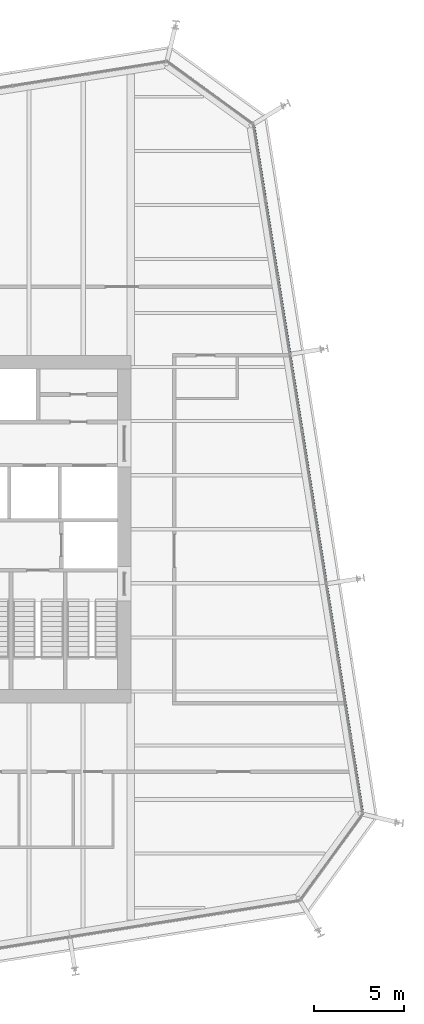
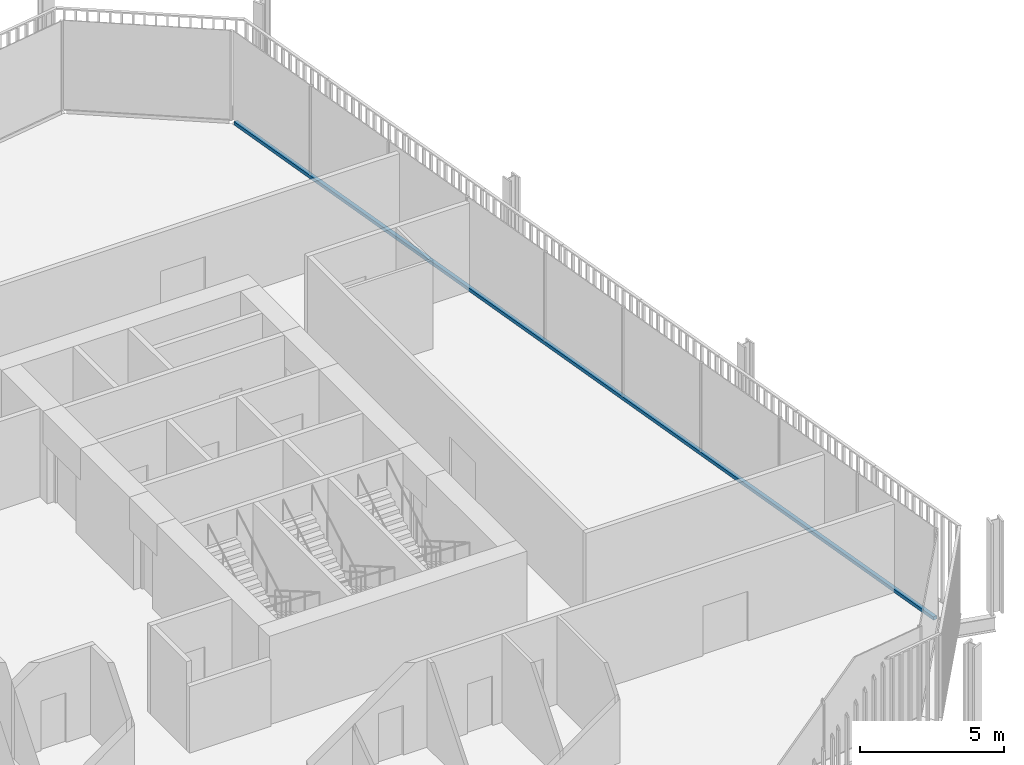
# One storey, part 14 of 21: 1 member, 1 element without a shape of its own.
"""IFC4 building model written with IfcOpenShell, lengths in metres."""

from ifc_helpers import new_model, si_unit, direction, frame, origin, origin_2d, place, context, subcontext, project, spatial, rectangle, extrude, material, layer, layer_set, material_profile, profile_set, type_object, element, aggregate, save


model = new_model("IFC4")

# Units and contexts
model_context = context("Model", 3, precision=1e-05, world=origin(), true_north=direction((0.0, 1.0)))
body_context = subcontext(model_context, "Body", "Model", "MODEL_VIEW")
ifc_project = project(units=[si_unit("LENGTHUNIT", "METRE"), si_unit("AREAUNIT", "SQUARE_METRE"), si_unit("VOLUMEUNIT", "CUBIC_METRE"), si_unit("PLANEANGLEUNIT", "RADIAN"), si_unit("MASSUNIT", "GRAM", prefix="KILO")], contexts=[model_context])

# Site, building, storey
site_placement = place(None, origin())
site = spatial("IfcSite", under=ifc_project, at=site_placement, CompositionType="ELEMENT")
building_placement = place(site_placement, origin())
building = spatial("IfcBuilding", under=site, at=building_placement, Name="Millrace Tower", CompositionType="ELEMENT")
storey_placement = place(building_placement, frame((0.0, 0.0, 149.0)))
storey = spatial("IfcBuildingStorey", under=building, at=storey_placement, Name="L33", CompositionType="ELEMENT", Elevation=149.0)

# Curtain wall, member
ifc_material_1 = material(Name="Aluminium and glass", Category="aluminium")
ifc_layer = layer(ifc_material_1, 0.14990234375)
ifc_layer_set = layer_set([ifc_layer], Name="Aluminium and glass")
curtain_wall_type = type_object("IfcCurtainWallType", Name="CW-1 office vision curtain wall", PredefinedType="NOTDEFINED", material=ifc_layer_set)
curtain_wall_placement = place(storey_placement, origin())
curtain_wall = element("IfcCurtainWall", 1, at=curtain_wall_placement, inside=storey, type_object=curtain_wall_type, Name="Curtain wall C-F04 L33", PredefinedType="NOTDEFINED")
ifc_material_2 = material(Name="Aluminium", Category="aluminium")
ifc_material_profile = material_profile(ifc_material_2, rectangle(XDim=0.14990234375, YDim=0.139892578125, at=origin_2d()))
ifc_profile_set = profile_set([ifc_material_profile], Name="Aluminium")
member_type = type_object("IfcMemberType", Name="CW-1 office vision curtain wall transom", PredefinedType="USERDEFINED", material=ifc_profile_set)
member_placement = place(storey_placement, frame((27.49609375, -15.675048828125, 0.070068359375), z_axis=(-0.156434402447, 0.987688350509, 0.0), x_axis=(-0.987688350509, -0.156434402447, 0.0)))
member = element("IfcMember", 2, at=member_placement, type_object=member_type, Name="CW1 transom C-F04.1", ObjectType="TRANSOM", PredefinedType="USERDEFINED", context=body_context, shape_type="SweptSolid", body=[
    extrude(rectangle(XDim=0.14990234375, YDim=0.139892578125, at=origin_2d()), origin(), (0.0, 0.0, 1.0), 38.499755859375),
])
aggregate(curtain_wall, [member])

save(model, "model.ifc")
